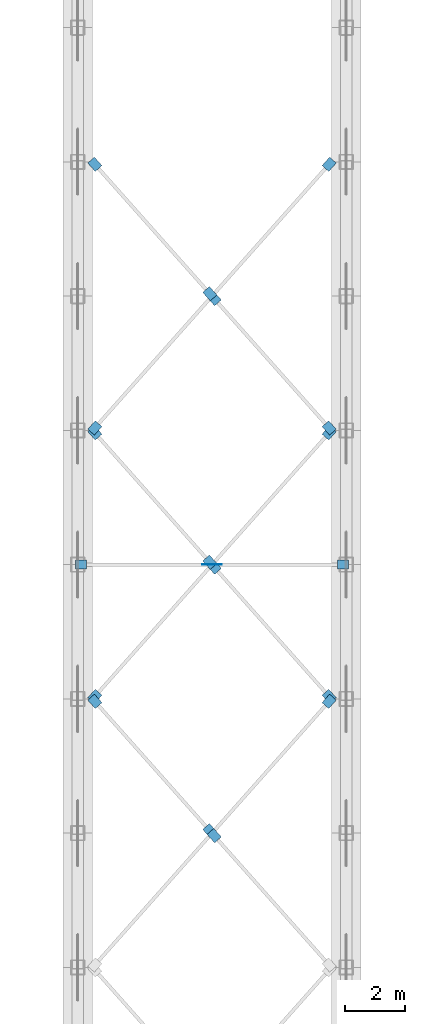
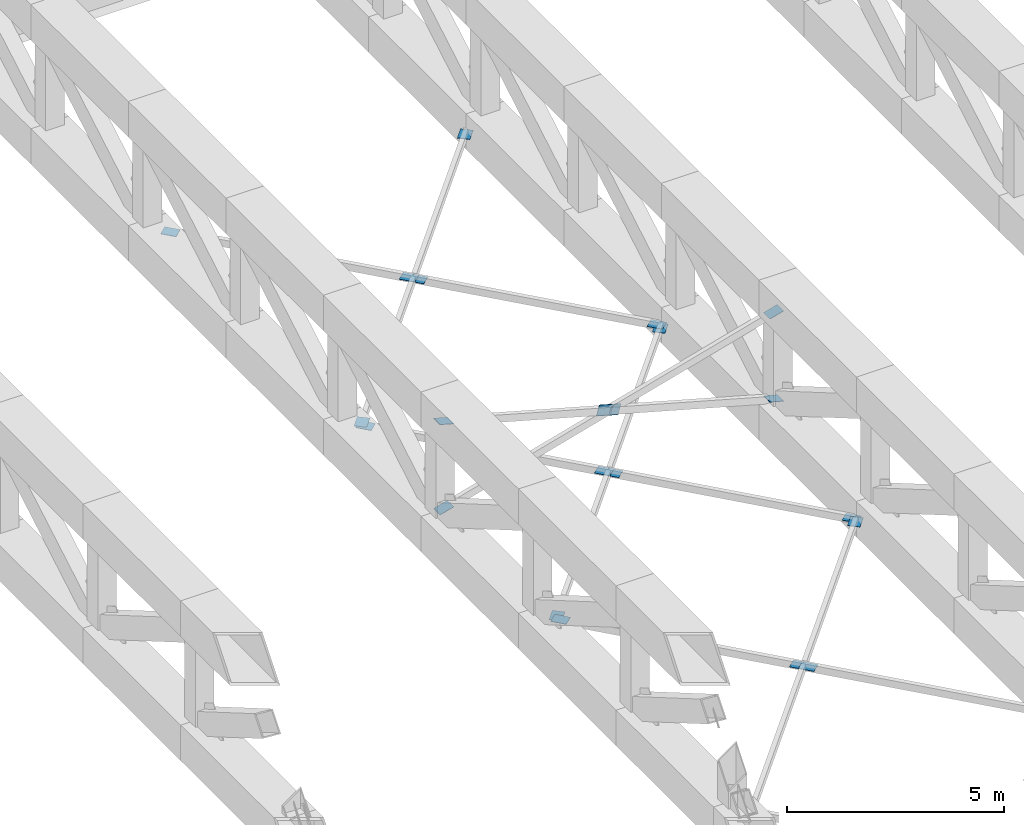
# One storey, part 63 of 76: 22 discrete accessories.
"""IFC4 building model written with IfcOpenShell, lengths in metres."""

import ifcopenshell
import ifcopenshell.guid

model = None  # the IFC model being written
_history = None  # IfcOwnerHistory: only IFC2X3 demands one
_inside = {}  # id of a spatial element -> (the spatial element, [elements in it])
_under = {}  # id of a project, library or spatial element -> (it, [spatial elements below it])
_declared = {}  # id of a project -> (the project, [libraries it declares])
_typed = {}  # id of a type object -> (the type object, [elements of that type])
_made_of = {}  # id of a material, layer set ... -> (it, [elements and type objects made of it])


def new_model(schema):
    """Start an empty IFC model of exactly this schema.

    Asked for "IFC4X3", IfcOpenShell would pick the latest addendum, in which some entities
    have other attributes; the version numbers below select the first issue.
    IFC2X3 requires an IfcOwnerHistory on every rooted entity: one is made here for all.
    """
    global model, _history
    if schema == "IFC4X3":
        model = ifcopenshell.file(schema_version=(4, 3, 0, 0))
    else:
        model = ifcopenshell.file(schema=schema)
    _inside.clear()
    _under.clear()
    _declared.clear()
    _typed.clear()
    _made_of.clear()
    _history = None
    if model.schema == "IFC2X3":
        org = make("IfcOrganization", Name="unknown")
        user = make(
            "IfcPersonAndOrganization",
            ThePerson=make("IfcPerson", FamilyName="unknown"),
            TheOrganization=org,
        )
        app = make(
            "IfcApplication",
            ApplicationDeveloper=org,
            Version="unknown",
            ApplicationFullName="unknown",
            ApplicationIdentifier="unknown",
        )
        _history = make(
            "IfcOwnerHistory",
            OwningUser=user,
            OwningApplication=app,
            ChangeAction="ADDED",
            CreationDate=0,
        )
    return model


def make(cls, **values):
    """One entity of the class cls with the attributes given. An attribute that is None is left unset."""
    return model.create_entity(
        cls, **{name: value for name, value in values.items() if value is not None}
    )


def rooted(cls, **values):
    """An entity with a GlobalId (a new one), such as an element, a storey or a relation."""
    return make(cls, GlobalId=ifcopenshell.guid.new(), OwnerHistory=_history, **values)


def si_unit(unit_type, name, prefix=None):
    """IfcSIUnit, for example si_unit("LENGTHUNIT", "METRE", prefix="MILLI")."""
    return make("IfcSIUnit", UnitType=unit_type, Prefix=prefix, Name=name)


def assignment(units):
    """IfcUnitAssignment: the units of a project."""
    return None if units is None else make("IfcUnitAssignment", Units=units)


def point(xyz):
    """IfcCartesianPoint."""
    return None if xyz is None else make("IfcCartesianPoint", Coordinates=xyz)


def direction(xyz):
    """IfcDirection."""
    return None if xyz is None else make("IfcDirection", DirectionRatios=xyz)


def frame(location, z_axis=None, x_axis=None):
    """IfcAxis2Placement3D, a coordinate frame: its origin and axes. An axis left out is left unset."""
    return make(
        "IfcAxis2Placement3D",
        Location=point(location),
        Axis=direction(z_axis),
        RefDirection=direction(x_axis),
    )


def origin():
    """The frame at (0, 0, 0) with its axes left unset."""
    return frame((0.0, 0.0, 0.0))


def place(relative_to, where):
    """IfcLocalPlacement: puts the frame where relative to a parent placement (None: the world)."""
    return make(
        "IfcLocalPlacement", PlacementRelTo=relative_to, RelativePlacement=where
    )


def context(
    kind, dimensions, precision=None, world=None, true_north=None, identifier=None
):
    """IfcGeometricRepresentationContext, for example the 3D "Model" context."""
    return make(
        "IfcGeometricRepresentationContext",
        ContextIdentifier=identifier,
        ContextType=kind,
        CoordinateSpaceDimension=dimensions,
        Precision=precision,
        WorldCoordinateSystem=world,
        TrueNorth=true_north,
    )


def subcontext(parent, identifier, kind, view, scale=None):
    """IfcGeometricRepresentationSubContext, for example "Body" below "Model"."""
    return make(
        "IfcGeometricRepresentationSubContext",
        ContextIdentifier=identifier,
        ContextType=kind,
        ParentContext=parent,
        TargetScale=scale,
        TargetView=view,
    )


def project(units=None, contexts=None):
    """IfcProject with its units and contexts."""
    return rooted(
        "IfcProject",
        Name="project",
        RepresentationContexts=contexts,
        UnitsInContext=assignment(units),
    )


def spatial(cls, under=None, at=None, **own):
    """A site, building, storey or space (cls), placed at a placement, below another one or the project."""
    s = rooted(cls, ObjectPlacement=at, **own)
    if under is not None:
        _under.setdefault(under.id(), (under, []))[1].append(s)
    return s


def polyline(points):
    """IfcPolyline through the points."""
    return make("IfcPolyline", Points=[point(p) for p in points])


def outline(outer, holes=None, kind="AREA"):
    """IfcArbitraryClosedProfileDef: a profile drawn as a closed curve; with holes, ...WithVoids."""
    if holes is None:
        return make("IfcArbitraryClosedProfileDef", ProfileType=kind, OuterCurve=outer)
    return make(
        "IfcArbitraryProfileDefWithVoids",
        ProfileType=kind,
        OuterCurve=outer,
        InnerCurves=holes,
    )


def extrude(swept, where, along, depth):
    """IfcExtrudedAreaSolid: the profile swept, set in the frame where, extruded along a direction by depth."""
    return make(
        "IfcExtrudedAreaSolid",
        SweptArea=swept,
        Position=where,
        ExtrudedDirection=direction(along),
        Depth=depth,
    )


def shape(context_of_items, identifier, shape_type, items):
    """IfcShapeRepresentation: the items that make up one representation, for example the "Body"."""
    return make(
        "IfcShapeRepresentation",
        ContextOfItems=context_of_items,
        RepresentationIdentifier=identifier,
        RepresentationType=shape_type,
        Items=items,
    )


def material(Name=None, Category=None):
    """IfcMaterial."""
    return make("IfcMaterial", Name=Name, Category=Category)


def layer(
    of_material, thickness, ventilated=None, Name=None, Category=None, Priority=None
):
    """IfcMaterialLayer: one layer of a wall or slab, of a material (None: an air gap)."""
    return make(
        "IfcMaterialLayer",
        Material=of_material,
        LayerThickness=thickness,
        IsVentilated=ventilated,
        Name=Name,
        Category=Category,
        Priority=Priority,
    )


def layer_set(layers, Name=None):
    """IfcMaterialLayerSet."""
    return make("IfcMaterialLayerSet", MaterialLayers=layers, LayerSetName=Name)


def made_of(thing, what):
    """Note that an element or type object is made of a material, layer set ...; save() writes the relation."""
    if what is not None:
        _made_of.setdefault(what.id(), (what, []))[1].append(thing)
    return thing


def type_object(cls, material=None, **own):
    """A type object (cls), such as IfcWallType, which elements share."""
    return made_of(rooted(cls, **own), material)


def element(
    cls,
    number,
    at=None,
    inside=None,
    cuts=None,
    type_object=None,
    material=None,
    context=None,
    identifier="Body",
    shape_type=None,
    held_by="IfcProductDefinitionShape",
    body=None,
    shapes=None,
    **own,
):
    """One element of the class cls, such as IfcWall. Its Tag is "e" and its number.

    at: its placement. inside: the storey or other place that contains it. cuts: it is an
    opening in that element (IfcRelVoidsElement). A single representation is given by context,
    identifier, shape_type and body (its items); several are given by shapes. held_by: the class
    of the entity that holds the representations. save() writes the other relations.
    """
    e = rooted(cls, Tag="e%d" % number, ObjectPlacement=at, **own)
    if body is not None:
        shapes = [shape(context, identifier, shape_type, body)]
    if shapes is not None:
        e.Representation = make(held_by, Representations=shapes)
    if inside is not None:
        _inside.setdefault(inside.id(), (inside, []))[1].append(e)
    if cuts is not None:
        rooted(
            "IfcRelVoidsElement", RelatingBuildingElement=cuts, RelatedOpeningElement=e
        )
    if type_object is not None:
        _typed.setdefault(type_object.id(), (type_object, []))[1].append(e)
    return made_of(e, material)


def aggregate(whole, parts):
    """IfcRelAggregates: a whole, such as a stair, and the parts it consists of."""
    return rooted("IfcRelAggregates", RelatingObject=whole, RelatedObjects=parts)


def save(model, path):
    """Write the relations noted so far, then the file.

    IfcRelAggregates (storeys below a building ...), IfcRelContainedInSpatialStructure (elements
    in a storey), IfcRelDefinesByType, IfcRelAssociatesMaterial and IfcRelDeclares: one each for
    every whole, place, type object, material and project.
    """
    for whole, parts in _under.values():
        aggregate(whole, parts)
    for where, things in _inside.values():
        rooted(
            "IfcRelContainedInSpatialStructure",
            RelatedElements=things,
            RelatingStructure=where,
        )
    for kind, things in _typed.values():
        rooted("IfcRelDefinesByType", RelatedObjects=things, RelatingType=kind)
    for what, things in _made_of.values():
        rooted("IfcRelAssociatesMaterial", RelatedObjects=things, RelatingMaterial=what)
    for by, libraries in _declared.values():
        rooted("IfcRelDeclares", RelatingContext=by, RelatedDefinitions=libraries)
    model.write(path)


model = new_model("IFC4")

# Units and contexts
model_context = context("Model", 3, precision=1e-05, world=origin(), true_north=direction((0.0, 1.0)))
body_context = subcontext(model_context, "Body", "Model", "MODEL_VIEW")
ifc_project = project(units=[si_unit("LENGTHUNIT", "METRE"), si_unit("AREAUNIT", "SQUARE_METRE"), si_unit("VOLUMEUNIT", "CUBIC_METRE"), si_unit("PLANEANGLEUNIT", "RADIAN"), si_unit("MASSUNIT", "GRAM", prefix="KILO")], contexts=[model_context])

# Site, building, storey
site_placement = place(None, origin())
site = spatial("IfcSite", under=ifc_project, at=site_placement, CompositionType="ELEMENT")
building_placement = place(site_placement, origin())
building = spatial("IfcBuilding", under=site, at=building_placement, Name="Aravalli Gate Trade Fair Centre", CompositionType="ELEMENT")
storey_placement = place(building_placement, frame((0.0, 0.0, 10.0)))
storey = spatial("IfcBuildingStorey", under=building, at=storey_placement, Name="L02", CompositionType="ELEMENT", Elevation=10.0)

# Discrete accessories
ifc_material = material(Name="Steel E350", Category="steel")
ifc_layer = layer(ifc_material, 0.011962890625)
ifc_layer_set = layer_set([ifc_layer], Name="Steel E350")
discrete_accessory_type = type_object("IfcDiscreteAccessoryType", Name="Gusset plate 300 x 300 x 12", PredefinedType="USERDEFINED", material=ifc_layer_set)
discrete_accessory_1_placement = place(storey_placement, frame((68.412841796875, 72.676025390625, 0.506103515625), z_axis=(0.0, 0.0, 1.0), x_axis=(0.664124608323, 0.747621899505, 0.0)))
element("IfcDiscreteAccessory", 1, at=discrete_accessory_1_placement, inside=storey, type_object=discrete_accessory_type, Name="Gusset plate FT plan brace bay 7 cell 3A end B", ObjectType="GUSSET PLATE", PredefinedType="USERDEFINED", context=body_context, shape_type="SweptSolid", body=[
    extrude(outline(polyline([(0.0, 0.0), (0.3801115078198438, 0.0), (0.38004533471122237, 0.3000464370207233), (0.0002784915661413201, 0.30002605193986837), (0.0, 0.0)])), origin(), (0.0, 0.0, -1.0), 0.011962890625),
])
discrete_accessory_2_placement = place(storey_placement, frame((60.587158203125, 72.676025390625, 0.506103515625), z_axis=(0.0, 0.0, 1.0), x_axis=(-0.664124608323, 0.747621899505, 0.0)))
element("IfcDiscreteAccessory", 2, at=discrete_accessory_2_placement, inside=storey, type_object=discrete_accessory_type, Name="Gusset plate FT plan brace bay 7 cell 3B half 1 end A", ObjectType="GUSSET PLATE", PredefinedType="USERDEFINED", context=body_context, shape_type="SweptSolid", body=[
    extrude(outline(polyline([(0.0, 0.0), (0.3801115078198438, 0.0), (0.38004533471122237, -0.3000464370207233), (0.0002784915661413201, -0.30002605193986837), (0.0, 0.0)])), origin(), (0.0, 0.0, -1.0), 0.011962890625),
])
discrete_accessory_3_placement = place(storey_placement, frame((64.188720703125, 68.62451171875, 0.506103515625), z_axis=(0.0, 0.0, 1.0), x_axis=(0.664084476604, -0.747657547232, 0.0)))
element("IfcDiscreteAccessory", 3, at=discrete_accessory_3_placement, inside=storey, type_object=discrete_accessory_type, Name="Gusset plate FT plan brace bay 7 cell 3B half 1 end B", ObjectType="GUSSET PLATE", PredefinedType="USERDEFINED", context=body_context, shape_type="SweptSolid", body=[
    extrude(outline(polyline([(0.0, 0.0), (0.37976684369219504, 0.0), (0.3798169109426651, 0.30004644014049164), (-0.0002945963295681586, 0.30002603655879534), (0.0, 0.0)])), origin(), (0.0, 0.0, -1.0), 0.011962890625),
])
discrete_accessory_4_placement = place(storey_placement, frame((64.587158203125, 68.176025390625, 0.506103515625), z_axis=(0.0, 0.0, 1.0), x_axis=(-0.664124608323, 0.747621899505, 0.0)))
element("IfcDiscreteAccessory", 4, at=discrete_accessory_4_placement, inside=storey, type_object=discrete_accessory_type, Name="Gusset plate FT plan brace bay 7 cell 3B half 2 end A", ObjectType="GUSSET PLATE", PredefinedType="USERDEFINED", context=body_context, shape_type="SweptSolid", body=[
    extrude(outline(polyline([(0.0, 0.0), (0.3801115078198438, 0.0), (0.38004533471122237, -0.3000464370207233), (0.0002784915661413201, -0.30002605193986837), (0.0, 0.0)])), origin(), (0.0, 0.0, -1.0), 0.011962890625),
])
discrete_accessory_5_placement = place(storey_placement, frame((60.811279296875, 73.12451171875, 0.506103515625), z_axis=(0.0, 0.0, 1.0), x_axis=(-0.664084476604, -0.747657547232, 0.0)))
element("IfcDiscreteAccessory", 5, at=discrete_accessory_5_placement, inside=storey, type_object=discrete_accessory_type, Name="Gusset plate FT plan brace bay 7 cell 4A end A", ObjectType="GUSSET PLATE", PredefinedType="USERDEFINED", context=body_context, shape_type="SweptSolid", body=[
    extrude(outline(polyline([(0.0, 0.0), (0.37976684369219504, 0.0), (0.3798169109426651, -0.30004644014049164), (-0.0002945963295681586, -0.30002603655879534), (0.0, 0.0)])), origin(), (0.0, 0.0, -1.0), 0.011962890625),
])
discrete_accessory_6_placement = place(storey_placement, frame((68.412841796875, 81.676025390625, 0.506103515625), z_axis=(0.0, 0.0, 1.0), x_axis=(0.664124608323, 0.747621899505, 0.0)))
element("IfcDiscreteAccessory", 6, at=discrete_accessory_6_placement, inside=storey, type_object=discrete_accessory_type, Name="Gusset plate FT plan brace bay 7 cell 4A end B", ObjectType="GUSSET PLATE", PredefinedType="USERDEFINED", context=body_context, shape_type="SweptSolid", body=[
    extrude(outline(polyline([(0.0, 0.0), (0.3801115078198438, 0.0), (0.38004533471122237, 0.3000464370207233), (0.0002784915661413201, 0.30002605193986837), (0.0, 0.0)])), origin(), (0.0, 0.0, -1.0), 0.011962890625),
])
discrete_accessory_7_placement = place(storey_placement, frame((60.587158203125, 81.676025390625, 0.506103515625), z_axis=(0.0, 0.0, 1.0), x_axis=(-0.664124608323, 0.747621899505, 0.0)))
element("IfcDiscreteAccessory", 7, at=discrete_accessory_7_placement, inside=storey, type_object=discrete_accessory_type, Name="Gusset plate FT plan brace bay 7 cell 4B half 1 end A", ObjectType="GUSSET PLATE", PredefinedType="USERDEFINED", context=body_context, shape_type="SweptSolid", body=[
    extrude(outline(polyline([(0.0, 0.0), (0.3801115078198438, 0.0), (0.38004533471122237, -0.3000464370207233), (0.0002784915661413201, -0.30002605193986837), (0.0, 0.0)])), origin(), (0.0, 0.0, -1.0), 0.011962890625),
])
discrete_accessory_8_placement = place(storey_placement, frame((64.188720703125, 77.62451171875, 0.506103515625), z_axis=(0.0, 0.0, 1.0), x_axis=(0.664084476604, -0.747657547232, 0.0)))
element("IfcDiscreteAccessory", 8, at=discrete_accessory_8_placement, inside=storey, type_object=discrete_accessory_type, Name="Gusset plate FT plan brace bay 7 cell 4B half 1 end B", ObjectType="GUSSET PLATE", PredefinedType="USERDEFINED", context=body_context, shape_type="SweptSolid", body=[
    extrude(outline(polyline([(0.0, 0.0), (0.37976684369219504, 0.0), (0.3798169109426651, 0.30004644014049164), (-0.0002945963295681586, 0.30002603655879534), (0.0, 0.0)])), origin(), (0.0, 0.0, -1.0), 0.011962890625),
])
discrete_accessory_9_placement = place(storey_placement, frame((64.587158203125, 77.176025390625, 0.506103515625), z_axis=(0.0, 0.0, 1.0), x_axis=(-0.664124608323, 0.747621899505, 0.0)))
element("IfcDiscreteAccessory", 9, at=discrete_accessory_9_placement, inside=storey, type_object=discrete_accessory_type, Name="Gusset plate FT plan brace bay 7 cell 4B half 2 end A", ObjectType="GUSSET PLATE", PredefinedType="USERDEFINED", context=body_context, shape_type="SweptSolid", body=[
    extrude(outline(polyline([(0.0, 0.0), (0.3801115078198438, 0.0), (0.38004533471122237, -0.3000464370207233), (0.0002784915661413201, -0.30002605193986837), (0.0, 0.0)])), origin(), (0.0, 0.0, -1.0), 0.011962890625),
])
discrete_accessory_10_placement = place(storey_placement, frame((68.188720703125, 73.12451171875, 0.506103515625), z_axis=(0.0, 0.0, 1.0), x_axis=(0.664084476604, -0.747657547232, 0.0)))
element("IfcDiscreteAccessory", 10, at=discrete_accessory_10_placement, inside=storey, type_object=discrete_accessory_type, Name="Gusset plate FT plan brace bay 7 cell 4B half 2 end B", ObjectType="GUSSET PLATE", PredefinedType="USERDEFINED", context=body_context, shape_type="SweptSolid", body=[
    extrude(outline(polyline([(0.0, 0.0), (0.37976684369219504, 0.0), (0.3798169109426651, 0.30004644014049164), (-0.0002945963295681586, 0.30002603655879534), (0.0, 0.0)])), origin(), (0.0, 0.0, -1.0), 0.011962890625),
])
discrete_accessory_11_placement = place(storey_placement, frame((60.811279296875, 82.12451171875, 0.506103515625), z_axis=(0.0, 0.0, 1.0), x_axis=(-0.664084476604, -0.747657547232, 0.0)))
element("IfcDiscreteAccessory", 11, at=discrete_accessory_11_placement, inside=storey, type_object=discrete_accessory_type, Name="Gusset plate FT plan brace bay 7 cell 5A end A", ObjectType="GUSSET PLATE", PredefinedType="USERDEFINED", context=body_context, shape_type="SweptSolid", body=[
    extrude(outline(polyline([(0.0, 0.0), (0.37976684369219504, 0.0), (0.3798169109426651, -0.30004644014049164), (-0.0002945963295681586, -0.30002603655879534), (0.0, 0.0)])), origin(), (0.0, 0.0, -1.0), 0.011962890625),
])
discrete_accessory_12_placement = place(storey_placement, frame((68.412841796875, 90.676025390625, 0.506103515625), z_axis=(0.0, 0.0, 1.0), x_axis=(0.664124608323, 0.747621899505, 0.0)))
element("IfcDiscreteAccessory", 12, at=discrete_accessory_12_placement, inside=storey, type_object=discrete_accessory_type, Name="Gusset plate FT plan brace bay 7 cell 5A end B", ObjectType="GUSSET PLATE", PredefinedType="USERDEFINED", context=body_context, shape_type="SweptSolid", body=[
    extrude(outline(polyline([(0.0, 0.0), (0.3801115078198438, 0.0), (0.38004533471122237, 0.3000464370207233), (0.0002784915661413201, 0.30002605193986837), (0.0, 0.0)])), origin(), (0.0, 0.0, -1.0), 0.011962890625),
])
discrete_accessory_13_placement = place(storey_placement, frame((60.587158203125, 90.676025390625, 0.506103515625), z_axis=(0.0, 0.0, 1.0), x_axis=(-0.664124608323, 0.747621899505, 0.0)))
element("IfcDiscreteAccessory", 13, at=discrete_accessory_13_placement, inside=storey, type_object=discrete_accessory_type, Name="Gusset plate FT plan brace bay 7 cell 5B half 1 end A", ObjectType="GUSSET PLATE", PredefinedType="USERDEFINED", context=body_context, shape_type="SweptSolid", body=[
    extrude(outline(polyline([(0.0, 0.0), (0.3801115078198438, 0.0), (0.38004533471122237, -0.3000464370207233), (0.0002784915661413201, -0.30002605193986837), (0.0, 0.0)])), origin(), (0.0, 0.0, -1.0), 0.011962890625),
])
discrete_accessory_14_placement = place(storey_placement, frame((64.188720703125, 86.62451171875, 0.506103515625), z_axis=(0.0, 0.0, 1.0), x_axis=(0.664084476604, -0.747657547232, 0.0)))
element("IfcDiscreteAccessory", 14, at=discrete_accessory_14_placement, inside=storey, type_object=discrete_accessory_type, Name="Gusset plate FT plan brace bay 7 cell 5B half 1 end B", ObjectType="GUSSET PLATE", PredefinedType="USERDEFINED", context=body_context, shape_type="SweptSolid", body=[
    extrude(outline(polyline([(0.0, 0.0), (0.37976684369219504, 0.0), (0.3798169109426651, 0.30004644014049164), (-0.0002945963295681586, 0.30002603655879534), (0.0, 0.0)])), origin(), (0.0, 0.0, -1.0), 0.011962890625),
])
discrete_accessory_15_placement = place(storey_placement, frame((64.587158203125, 86.176025390625, 0.506103515625), z_axis=(0.0, 0.0, 1.0), x_axis=(-0.664124608323, 0.747621899505, 0.0)))
element("IfcDiscreteAccessory", 15, at=discrete_accessory_15_placement, inside=storey, type_object=discrete_accessory_type, Name="Gusset plate FT plan brace bay 7 cell 5B half 2 end A", ObjectType="GUSSET PLATE", PredefinedType="USERDEFINED", context=body_context, shape_type="SweptSolid", body=[
    extrude(outline(polyline([(0.0, 0.0), (0.3801115078198438, 0.0), (0.38004533471122237, -0.3000464370207233), (0.0002784915661413201, -0.30002605193986837), (0.0, 0.0)])), origin(), (0.0, 0.0, -1.0), 0.011962890625),
])
discrete_accessory_16_placement = place(storey_placement, frame((68.188720703125, 82.12451171875, 0.506103515625), z_axis=(0.0, 0.0, 1.0), x_axis=(0.664084476604, -0.747657547232, 0.0)))
element("IfcDiscreteAccessory", 16, at=discrete_accessory_16_placement, inside=storey, type_object=discrete_accessory_type, Name="Gusset plate FT plan brace bay 7 cell 5B half 2 end B", ObjectType="GUSSET PLATE", PredefinedType="USERDEFINED", context=body_context, shape_type="SweptSolid", body=[
    extrude(outline(polyline([(0.0, 0.0), (0.37976684369219504, 0.0), (0.3798169109426651, 0.30004644014049164), (-0.0002945963295681586, 0.30002603655879534), (0.0, 0.0)])), origin(), (0.0, 0.0, -1.0), 0.011962890625),
])
discrete_accessory_17_placement = place(storey_placement, frame((60.287353515625, 77.35009765625, 1.086181640625), z_axis=(-0.268008474485, 0.0, 0.963416554562), x_axis=(-0.963416554562, 0.0, -0.268008474485)))
element("IfcDiscreteAccessory", 17, at=discrete_accessory_17_placement, inside=storey, type_object=discrete_accessory_type, Name="Gusset plate FT vertical brace bay 7 frame 2A end A", ObjectType="GUSSET PLATE", PredefinedType="USERDEFINED", context=body_context, shape_type="SweptSolid", body=[
    extrude(outline(polyline([(0.0, 0.0), (0.3798635129757732, 0.0), (0.3798635129757732, -0.29980468749999994), (0.0, -0.29980468749999994), (0.0, 0.0)])), origin(), (0.0, 0.0, -1.0), 0.011962890625),
])
discrete_accessory_18_placement = place(storey_placement, frame((68.709228515625, 77.35009765625, 3.425537109375), z_axis=(-0.267246240794, 0.0, 0.963628272095), x_axis=(0.963628272095, 0.0, 0.267246240794)))
element("IfcDiscreteAccessory", 18, at=discrete_accessory_18_placement, inside=storey, type_object=discrete_accessory_type, Name="Gusset plate FT vertical brace bay 7 frame 2A end B", ObjectType="GUSSET PLATE", PredefinedType="USERDEFINED", context=body_context, shape_type="SweptSolid", body=[
    extrude(outline(polyline([(0.0, 0.0), (0.3800334092561849, 0.0), (0.3800334092561849, 0.2998046875), (0.0, 0.2998046875), (0.0, 0.0)])), origin(), (0.0, 0.0, -1.0), 0.011962890625),
])
discrete_accessory_19_placement = place(storey_placement, frame((60.290771484375, 77.35009765625, 3.425537109375), z_axis=(0.267246240794, 0.0, 0.963628272095), x_axis=(-0.963628272095, 0.0, 0.267246240794)))
element("IfcDiscreteAccessory", 19, at=discrete_accessory_19_placement, inside=storey, type_object=discrete_accessory_type, Name="Gusset plate FT vertical brace bay 7 frame 2B half 1 end A", ObjectType="GUSSET PLATE", PredefinedType="USERDEFINED", context=body_context, shape_type="SweptSolid", body=[
    extrude(outline(polyline([(0.0, 0.0), (0.3800334092561849, 0.0), (0.3800334092561849, -0.2998046875), (0.0, -0.2998046875), (0.0, 0.0)])), origin(), (0.0, 0.0, -1.0), 0.011962890625),
])
discrete_accessory_20_placement = place(storey_placement, frame((64.1708984375, 77.493896484375, 2.185791015625), z_axis=(0.0, -1.0, 0.0), x_axis=(0.963416554562, 0.0, -0.268008474485)))
element("IfcDiscreteAccessory", 20, at=discrete_accessory_20_placement, inside=storey, type_object=discrete_accessory_type, Name="Gusset plate FT vertical brace bay 7 frame 2B half 1 end B", ObjectType="GUSSET PLATE", PredefinedType="USERDEFINED", context=body_context, shape_type="SweptSolid", body=[
    extrude(outline(polyline([(0.0, 0.0), (0.3798635129757732, 0.0), (0.37977611372313164, 0.30001464568042957), (-8.73992526415901e-05, 0.30001464568042957), (0.0, 0.0)])), origin(), (0.0, 0.0, -1.0), 0.011962890625),
])
discrete_accessory_21_placement = place(storey_placement, frame((64.748779296875, 77.506103515625, 2.025146484375), z_axis=(0.0, 1.0, 0.0), x_axis=(-0.963416554562, 0.0, 0.268008474485)))
element("IfcDiscreteAccessory", 21, at=discrete_accessory_21_placement, inside=storey, type_object=discrete_accessory_type, Name="Gusset plate FT vertical brace bay 7 frame 2B half 2 end A", ObjectType="GUSSET PLATE", PredefinedType="USERDEFINED", context=body_context, shape_type="SweptSolid", body=[
    extrude(outline(polyline([(0.0, 0.0), (0.3798635129757732, 0.0), (0.3799509122284148, 0.30001464568042957), (8.73992526415901e-05, 0.30001464568042957), (0.0, 0.0)])), origin(), (0.0, 0.0, -1.0), 0.011962890625),
])
discrete_accessory_22_placement = place(storey_placement, frame((68.712646484375, 77.35009765625, 1.086181640625), z_axis=(0.268008474485, 0.0, 0.963416554562), x_axis=(0.963416554562, 0.0, -0.268008474485)))
element("IfcDiscreteAccessory", 22, at=discrete_accessory_22_placement, inside=storey, type_object=discrete_accessory_type, Name="Gusset plate FT vertical brace bay 7 frame 2B half 2 end B", ObjectType="GUSSET PLATE", PredefinedType="USERDEFINED", context=body_context, shape_type="SweptSolid", body=[
    extrude(outline(polyline([(0.0, 0.0), (0.3798635129757732, 0.0), (0.3798635129757732, 0.29980468749999994), (0.0, 0.29980468749999994), (0.0, 0.0)])), origin(), (0.0, 0.0, -1.0), 0.011962890625),
])

save(model, "model.ifc")
